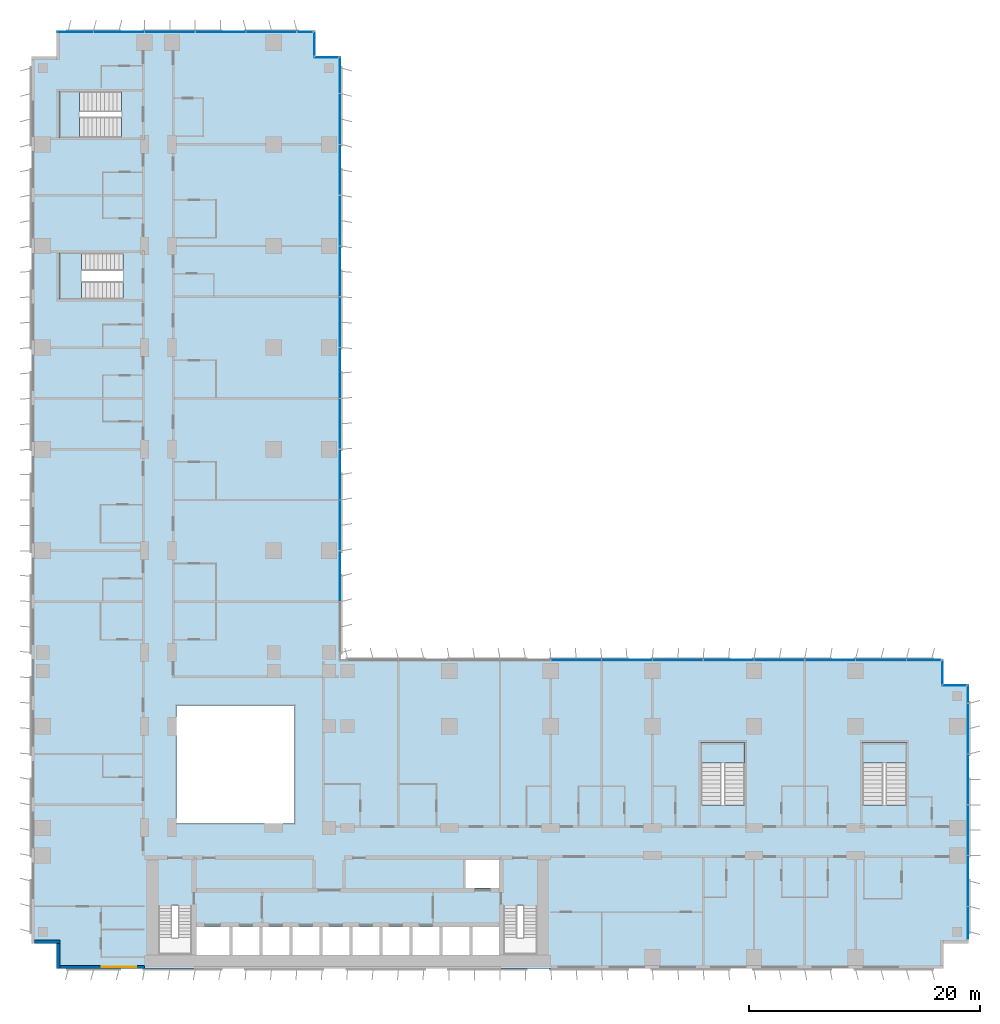
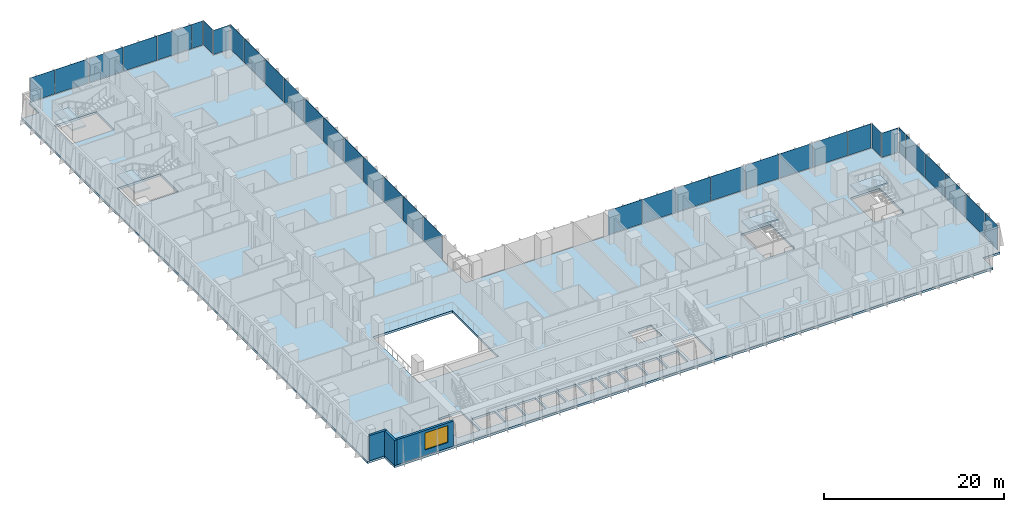
# One storey, part 11 of 24: 35 plates, 5 slabs, 3 walls, 1 window, 1 opening, 12 elements without a shape of their own.
"""IFC4 building model written with IfcOpenShell, lengths in metres."""

from ifc_helpers import new_model, si_unit, direction, frame, frame_2d, origin, origin_2d, place, context, subcontext, project, spatial, polyline, rectangle, outline, extrude, source, transform, mapped, material, layer, layer_set, type_object, element, fill, aggregate, save


model = new_model("IFC4")

# Units and contexts
model_context = context("Model", 3, precision=1e-05, world=origin(), true_north=direction((0.0, 1.0)))
body_context = subcontext(model_context, "Body", "Model", "MODEL_VIEW")
ifc_project = project(units=[si_unit("LENGTHUNIT", "METRE"), si_unit("AREAUNIT", "SQUARE_METRE"), si_unit("VOLUMEUNIT", "CUBIC_METRE"), si_unit("PLANEANGLEUNIT", "RADIAN"), si_unit("MASSUNIT", "GRAM", prefix="KILO")], contexts=[model_context])

# Site, building, storey
site_placement = place(None, origin())
site = spatial("IfcSite", under=ifc_project, at=site_placement, CompositionType="ELEMENT")
building_placement = place(site_placement, origin())
building = spatial("IfcBuilding", under=site, at=building_placement, Name="Kemantara Hotel Tower", CompositionType="ELEMENT")
storey_placement = place(building_placement, frame((0.0, 0.0, 52.5)))
storey = spatial("IfcBuildingStorey", under=building, at=storey_placement, Name="L11", CompositionType="ELEMENT", Elevation=52.5)

# Slab
ifc_material_1 = material(Name="Concrete fc 40 MPa", Category="concrete")
ifc_layer_1 = layer(ifc_material_1, 0.300048828125)
ifc_layer_set_1 = layer_set([ifc_layer_1], Name="Concrete fc 40 MPa")
slab_type_1 = type_object("IfcSlabType", Name="POST-TENSIONED FLAT PLATE 300", PredefinedType="FLOOR", material=ifc_layer_set_1)
slab_1_placement = place(storey_placement, frame((0.0, 0.0, -0.300048828125)))
element("IfcSlab", 1, at=slab_1_placement, inside=storey, type_object=slab_type_1, Name="FLOOR SLAB L11", PredefinedType="FLOOR", context=body_context, shape_type="SweptSolid", body=[
    extrude(outline(polyline([(0.0, 2.199951171875), (2.199951171875, 2.199951171875), (2.199951171875, 0.0), (79.0, 0.0), (79.0, 2.199951171875), (81.199951171875, 2.199951171875), (81.199951171875, 24.60009765625), (79.0, 24.60009765625), (79.0, 26.800048828125), (26.800048828125, 26.800048828125), (26.800048828125, 79.0), (24.60009765625, 79.0), (24.60009765625, 81.199951171875), (2.199951171875, 81.199951171875), (2.199951171875, 79.0), (0.0, 79.0), (0.0, 2.199951171875)]), holes=[polyline([(17.175048828125, 1.199951171875), (14.22509765625, 1.199951171875), (14.22509765625, 3.60009765625), (17.175048828125, 3.60009765625), (17.175048828125, 1.199951171875)]), polyline([(19.77490234375, 1.199951171875), (17.425048828125, 1.199951171875), (17.425048828125, 3.60009765625), (19.77490234375, 3.60009765625), (19.77490234375, 1.199951171875)]), polyline([(22.375, 1.199951171875), (20.02490234375, 1.199951171875), (20.02490234375, 3.60009765625), (22.375, 3.60009765625), (22.375, 1.199951171875)]), polyline([(24.97509765625, 1.199951171875), (22.625, 1.199951171875), (22.625, 3.60009765625), (24.97509765625, 3.60009765625), (24.97509765625, 1.199951171875)]), polyline([(27.574951171875, 1.199951171875), (25.22509765625, 1.199951171875), (25.22509765625, 3.60009765625), (27.574951171875, 3.60009765625), (27.574951171875, 1.199951171875)]), polyline([(11.0, 1.199951171875), (11.0, 5.49951171875), (13.89990234375, 5.49951171875), (13.89990234375, 1.199951171875), (11.0, 1.199951171875)]), polyline([(22.800048828125, 12.60009765625), (12.60009765625, 12.60009765625), (12.60009765625, 22.800048828125), (22.800048828125, 22.800048828125), (22.800048828125, 12.60009765625)]), polyline([(7.949462890625, 62.0), (7.949462890625, 58.0), (2.39990234375, 58.0), (2.39990234375, 62.0), (7.949462890625, 62.0)]), polyline([(7.79931640625, 76.0), (7.79931640625, 72.0), (2.39990234375, 72.0), (2.39990234375, 76.0), (7.79931640625, 76.0)]), polyline([(30.175048828125, 1.199951171875), (27.824951171875, 1.199951171875), (27.824951171875, 3.60009765625), (30.175048828125, 3.60009765625), (30.175048828125, 1.199951171875)]), polyline([(32.77490234375, 1.199951171875), (30.425048828125, 1.199951171875), (30.425048828125, 3.60009765625), (32.77490234375, 3.60009765625), (32.77490234375, 1.199951171875)]), polyline([(35.375, 1.199951171875), (33.02490234375, 1.199951171875), (33.02490234375, 3.60009765625), (35.375, 3.60009765625), (35.375, 1.199951171875)]), polyline([(37.97509765625, 1.199951171875), (35.625, 1.199951171875), (35.625, 3.60009765625), (37.97509765625, 3.60009765625), (37.97509765625, 1.199951171875)]), polyline([(40.574951171875, 1.199951171875), (38.22509765625, 1.199951171875), (38.22509765625, 3.60009765625), (40.574951171875, 3.60009765625), (40.574951171875, 1.199951171875)]), polyline([(40.89990234375, 1.199951171875), (40.89990234375, 5.49951171875), (43.800048828125, 5.49951171875), (43.800048828125, 1.199951171875), (40.89990234375, 1.199951171875)]), polyline([(40.574951171875, 7.0), (37.625, 7.0), (37.625, 9.39990234375), (40.574951171875, 9.39990234375), (40.574951171875, 7.0)]), polyline([(61.800048828125, 14.20068359375), (58.0, 14.20068359375), (58.0, 19.60009765625), (61.800048828125, 19.60009765625), (61.800048828125, 14.20068359375)]), polyline([(75.800048828125, 14.20068359375), (72.0, 14.20068359375), (72.0, 19.60009765625), (75.800048828125, 19.60009765625), (75.800048828125, 14.20068359375)])]), origin(), (0.0, 0.0, 1.0), 0.300048828125),
])

# Stair, slab
stair_type_1 = type_object("IfcStairType", Name="Stair 1800 wide 22 risers of 168 x 360 mm", PredefinedType="HALF_TURN_STAIR", material=ifc_material_1)
stair_1_placement = place(storey_placement, origin())
stair_1 = element("IfcStair", 2, at=stair_1_placement, inside=storey, type_object=stair_type_1, Name="L11 Exit stair ST3", PredefinedType="HALF_TURN_STAIR")
ifc_layer_2 = layer(ifc_material_1, 0.199951171875)
ifc_layer_set_2 = layer_set([ifc_layer_2], Name="Concrete fc 40 MPa")
slab_type_2 = type_object("IfcSlabType", Name="Stair landing 200 mm", PredefinedType="LANDING", material=ifc_layer_set_2)
slab_2_placement = place(storey_placement, frame((0.0, 0.0, 1.64990234375)))
slab_2 = element("IfcSlab", 3, at=slab_2_placement, type_object=slab_type_2, Name="ST3 landing 1", PredefinedType="LANDING", context=body_context, shape_type="SweptSolid", body=[
    extrude(outline(polyline([(61.800048828125, 17.800048828125), (61.800048828125, 19.60009765625), (58.0, 19.60009765625), (58.0, 17.800048828125), (61.800048828125, 17.800048828125)])), origin(), (0.0, 0.0, 1.0), 0.2001953125),
])
aggregate(stair_1, [slab_2])

stair_type_2 = type_object("IfcStairType", Name="Stair 1550 wide 22 risers of 168 x 360 mm", PredefinedType="HALF_TURN_STAIR", material=ifc_material_1)
stair_2_placement = place(storey_placement, origin())
stair_2 = element("IfcStair", 4, at=stair_2_placement, inside=storey, type_object=stair_type_2, Name="L11 Exit stair ST4", PredefinedType="HALF_TURN_STAIR")
slab_3_placement = place(storey_placement, frame((0.0, 0.0, 1.64990234375)))
slab_3 = element("IfcSlab", 5, at=slab_3_placement, type_object=slab_type_2, Name="ST4 landing 1", PredefinedType="LANDING", context=body_context, shape_type="SweptSolid", body=[
    extrude(outline(polyline([(4.35009765625, 62.0), (2.39990234375, 62.0), (2.39990234375, 58.0), (4.35009765625, 58.0), (4.35009765625, 62.0)])), origin(), (0.0, 0.0, 1.0), 0.2001953125),
])
aggregate(stair_2, [slab_3])

stair_3_placement = place(storey_placement, origin())
stair_3 = element("IfcStair", 6, at=stair_3_placement, inside=storey, type_object=stair_type_1, Name="L11 Exit stair ST5", PredefinedType="HALF_TURN_STAIR")
slab_4_placement = place(storey_placement, frame((0.0, 0.0, 1.64990234375)))
slab_4 = element("IfcSlab", 7, at=slab_4_placement, type_object=slab_type_2, Name="ST5 landing 1", PredefinedType="LANDING", context=body_context, shape_type="SweptSolid", body=[
    extrude(outline(polyline([(75.800048828125, 17.800048828125), (75.800048828125, 19.60009765625), (72.0, 19.60009765625), (72.0, 17.800048828125), (75.800048828125, 17.800048828125)])), origin(), (0.0, 0.0, 1.0), 0.2001953125),
])
aggregate(stair_3, [slab_4])

stair_4_placement = place(storey_placement, origin())
stair_4 = element("IfcStair", 8, at=stair_4_placement, inside=storey, type_object=stair_type_1, Name="L11 Exit stair ST6", PredefinedType="HALF_TURN_STAIR")
slab_5_placement = place(storey_placement, frame((0.0, 0.0, 1.64990234375)))
slab_5 = element("IfcSlab", 9, at=slab_5_placement, type_object=slab_type_2, Name="ST6 landing 1", PredefinedType="LANDING", context=body_context, shape_type="SweptSolid", body=[
    extrude(outline(polyline([(4.199951171875, 76.0), (2.39990234375, 76.0), (2.39990234375, 72.0), (4.199951171875, 72.0), (4.199951171875, 76.0)])), origin(), (0.0, 0.0, 1.0), 0.2001953125),
])
aggregate(stair_4, [slab_5])

# Curtain wall, plates
ifc_material_2 = material(Name="Low-E tinted double insulated glass 36 mm", Category="glass")
curtain_wall_type = type_object("IfcCurtainWallType", Name="TOWER CURTAIN WALL, FRONT FACES", PredefinedType="USERDEFINED", material=ifc_material_2)
curtain_wall_1_placement = place(storey_placement, origin())
curtain_wall_1 = element("IfcCurtainWall", 10, at=curtain_wall_1_placement, inside=storey, type_object=curtain_wall_type, Name="CW4 L11 T1-R04-1", ObjectType="TOWER CURTAIN WALL, FRONT FACES", PredefinedType="USERDEFINED")
ifc_layer_3 = layer(ifc_material_2, 0.035888671875)
ifc_layer_set_3 = layer_set([ifc_layer_3], Name="Low-E tinted double insulated glass 36 mm")
plate_type = type_object("IfcPlateType", Name="TOWER CURTAIN WALL, FRONT FACES PANEL", PredefinedType="CURTAIN_PANEL", material=ifc_layer_set_3)
shared_shape_1 = source(origin(), body_context, "Body", "SweptSolid", [
    extrude(rectangle(XDim=2.81005859375, YDim=0.035888671875, at=origin_2d()), origin(), (0.0, 0.0, 1.0), 3.280029296875),
])
plate_1_placement = place(storey_placement, frame((81.125, 3.965087890625, 0.1201171875), z_axis=(0.0, 0.0, 1.0), x_axis=(0.0, 1.0, 0.0)))
plate_1 = element("IfcPlate", 11, at=plate_1_placement, type_object=plate_type, Name="CW4 glass panel T1-R04-1.1", PredefinedType="CURTAIN_PANEL", context=body_context, shape_type="MappedRepresentation", body=[
    mapped(shared_shape_1, transform((0.0, 0.0, 0.0))),
])
shared_shape_2 = source(origin(), body_context, "Body", "SweptSolid", [
    extrude(rectangle(XDim=4.340087890625, YDim=0.035888671875, at=origin_2d()), origin(), (0.0, 0.0, 1.0), 3.280029296875),
])
plate_2_placement = place(storey_placement, frame((81.125, 7.60009765625, 0.1201171875), z_axis=(0.0, 0.0, 1.0), x_axis=(0.0, 1.0, 0.0)))
plate_2 = element("IfcPlate", 12, at=plate_2_placement, type_object=plate_type, Name="CW4 glass panel T1-R04-1.2", PredefinedType="CURTAIN_PANEL", context=body_context, shape_type="MappedRepresentation", body=[
    mapped(shared_shape_2, transform((0.0, 0.0, 0.0))),
])
plate_3_placement = place(storey_placement, frame((81.125, 12.0, 0.1201171875), z_axis=(0.0, 0.0, 1.0), x_axis=(0.0, 1.0, 0.0)))
plate_3 = element("IfcPlate", 13, at=plate_3_placement, type_object=plate_type, Name="CW4 glass panel T1-R04-1.3", PredefinedType="CURTAIN_PANEL", context=body_context, shape_type="MappedRepresentation", body=[
    mapped(shared_shape_2, transform((0.0, 0.0, 0.0))),
])
plate_4_placement = place(storey_placement, frame((81.125, 16.39990234375, 0.1201171875), z_axis=(0.0, 0.0, 1.0), x_axis=(0.0, 1.0, 0.0)))
plate_4 = element("IfcPlate", 14, at=plate_4_placement, type_object=plate_type, Name="CW4 glass panel T1-R04-1.4", PredefinedType="CURTAIN_PANEL", context=body_context, shape_type="MappedRepresentation", body=[
    mapped(shared_shape_2, transform((0.0, 0.0, 0.0))),
])
plate_5_placement = place(storey_placement, frame((81.125, 20.800048828125, 0.1201171875), z_axis=(0.0, 0.0, 1.0), x_axis=(0.0, 1.0, 0.0)))
plate_5 = element("IfcPlate", 15, at=plate_5_placement, type_object=plate_type, Name="CW4 glass panel T1-R04-1.5", PredefinedType="CURTAIN_PANEL", context=body_context, shape_type="MappedRepresentation", body=[
    mapped(shared_shape_2, transform((0.0, 0.0, 0.0))),
])

curtain_wall_2_placement = place(storey_placement, origin())
curtain_wall_2 = element("IfcCurtainWall", 16, at=curtain_wall_2_placement, inside=storey, type_object=curtain_wall_type, Name="CW4 L11 T1-R07-1", ObjectType="TOWER CURTAIN WALL, FRONT FACES", PredefinedType="USERDEFINED")
plate_6_placement = place(storey_placement, frame((73.60009765625, 26.72509765625, 0.1201171875), z_axis=(0.0, 0.0, 1.0), x_axis=(-1.0, 0.0, 0.0)))
plate_6 = element("IfcPlate", 17, at=plate_6_placement, type_object=plate_type, Name="CW4 glass panel T1-R07-1.2", PredefinedType="CURTAIN_PANEL", context=body_context, shape_type="MappedRepresentation", body=[
    mapped(shared_shape_2, transform((0.0, 0.0, 0.0))),
])
plate_7_placement = place(storey_placement, frame((69.199951171875, 26.72509765625, 0.1201171875), z_axis=(0.0, 0.0, 1.0), x_axis=(-1.0, 0.0, 0.0)))
plate_7 = element("IfcPlate", 18, at=plate_7_placement, type_object=plate_type, Name="CW4 glass panel T1-R07-1.3", PredefinedType="CURTAIN_PANEL", context=body_context, shape_type="MappedRepresentation", body=[
    mapped(shared_shape_2, transform((0.0, 0.0, 0.0))),
])
plate_8_placement = place(storey_placement, frame((64.800048828125, 26.72509765625, 0.1201171875), z_axis=(0.0, 0.0, 1.0), x_axis=(-1.0, 0.0, 0.0)))
plate_8 = element("IfcPlate", 19, at=plate_8_placement, type_object=plate_type, Name="CW4 glass panel T1-R07-1.4", PredefinedType="CURTAIN_PANEL", context=body_context, shape_type="MappedRepresentation", body=[
    mapped(shared_shape_2, transform((0.0, 0.0, 0.0))),
])
plate_9_placement = place(storey_placement, frame((60.39990234375, 26.72509765625, 0.1201171875), z_axis=(0.0, 0.0, 1.0), x_axis=(-1.0, 0.0, 0.0)))
plate_9 = element("IfcPlate", 20, at=plate_9_placement, type_object=plate_type, Name="CW4 glass panel T1-R07-1.5", PredefinedType="CURTAIN_PANEL", context=body_context, shape_type="MappedRepresentation", body=[
    mapped(shared_shape_2, transform((0.0, 0.0, 0.0))),
])
plate_10_placement = place(storey_placement, frame((56.0, 26.72509765625, 0.1201171875), z_axis=(0.0, 0.0, 1.0), x_axis=(-1.0, 0.0, 0.0)))
plate_10 = element("IfcPlate", 21, at=plate_10_placement, type_object=plate_type, Name="CW4 glass panel T1-R07-1.6", PredefinedType="CURTAIN_PANEL", context=body_context, shape_type="MappedRepresentation", body=[
    mapped(shared_shape_2, transform((0.0, 0.0, 0.0))),
])
plate_11_placement = place(storey_placement, frame((51.60009765625, 26.72509765625, 0.1201171875), z_axis=(0.0, 0.0, 1.0), x_axis=(-1.0, 0.0, 0.0)))
plate_11 = element("IfcPlate", 22, at=plate_11_placement, type_object=plate_type, Name="CW4 glass panel T1-R07-1.7", PredefinedType="CURTAIN_PANEL", context=body_context, shape_type="MappedRepresentation", body=[
    mapped(shared_shape_2, transform((0.0, 0.0, 0.0))),
])
plate_12_placement = place(storey_placement, frame((47.199951171875, 26.72509765625, 0.1201171875), z_axis=(0.0, 0.0, 1.0), x_axis=(-1.0, 0.0, 0.0)))
plate_12 = element("IfcPlate", 23, at=plate_12_placement, type_object=plate_type, Name="CW4 glass panel T1-R07-1.8", PredefinedType="CURTAIN_PANEL", context=body_context, shape_type="MappedRepresentation", body=[
    mapped(shared_shape_2, transform((0.0, 0.0, 0.0))),
])

curtain_wall_3_placement = place(storey_placement, origin())
curtain_wall_3 = element("IfcCurtainWall", 24, at=curtain_wall_3_placement, inside=storey, type_object=curtain_wall_type, Name="CW4 L11 T1-R08-1", ObjectType="TOWER CURTAIN WALL, FRONT FACES", PredefinedType="USERDEFINED")
plate_13_placement = place(storey_placement, frame((26.72509765625, 34.0, 0.1201171875), z_axis=(0.0, 0.0, 1.0), x_axis=(0.0, 1.0, 0.0)))
plate_13 = element("IfcPlate", 25, at=plate_13_placement, type_object=plate_type, Name="CW4 glass panel T1-R08-1.3", PredefinedType="CURTAIN_PANEL", context=body_context, shape_type="MappedRepresentation", body=[
    mapped(shared_shape_2, transform((0.0, 0.0, 0.0))),
])
plate_14_placement = place(storey_placement, frame((26.72509765625, 38.39990234375, 0.1201171875), z_axis=(0.0, 0.0, 1.0), x_axis=(0.0, 1.0, 0.0)))
plate_14 = element("IfcPlate", 26, at=plate_14_placement, type_object=plate_type, Name="CW4 glass panel T1-R08-1.4", PredefinedType="CURTAIN_PANEL", context=body_context, shape_type="MappedRepresentation", body=[
    mapped(shared_shape_2, transform((0.0, 0.0, 0.0))),
])
plate_15_placement = place(storey_placement, frame((26.72509765625, 42.800048828125, 0.1201171875), z_axis=(0.0, 0.0, 1.0), x_axis=(0.0, 1.0, 0.0)))
plate_15 = element("IfcPlate", 27, at=plate_15_placement, type_object=plate_type, Name="CW4 glass panel T1-R08-1.5", PredefinedType="CURTAIN_PANEL", context=body_context, shape_type="MappedRepresentation", body=[
    mapped(shared_shape_2, transform((0.0, 0.0, 0.0))),
])
plate_16_placement = place(storey_placement, frame((26.72509765625, 47.199951171875, 0.1201171875), z_axis=(0.0, 0.0, 1.0), x_axis=(0.0, 1.0, 0.0)))
plate_16 = element("IfcPlate", 28, at=plate_16_placement, type_object=plate_type, Name="CW4 glass panel T1-R08-1.6", PredefinedType="CURTAIN_PANEL", context=body_context, shape_type="MappedRepresentation", body=[
    mapped(shared_shape_2, transform((0.0, 0.0, 0.0))),
])
plate_17_placement = place(storey_placement, frame((26.72509765625, 51.60009765625, 0.1201171875), z_axis=(0.0, 0.0, 1.0), x_axis=(0.0, 1.0, 0.0)))
plate_17 = element("IfcPlate", 29, at=plate_17_placement, type_object=plate_type, Name="CW4 glass panel T1-R08-1.7", PredefinedType="CURTAIN_PANEL", context=body_context, shape_type="MappedRepresentation", body=[
    mapped(shared_shape_2, transform((0.0, 0.0, 0.0))),
])
plate_18_placement = place(storey_placement, frame((26.72509765625, 56.0, 0.1201171875), z_axis=(0.0, 0.0, 1.0), x_axis=(0.0, 1.0, 0.0)))
plate_18 = element("IfcPlate", 30, at=plate_18_placement, type_object=plate_type, Name="CW4 glass panel T1-R08-1.8", PredefinedType="CURTAIN_PANEL", context=body_context, shape_type="MappedRepresentation", body=[
    mapped(shared_shape_2, transform((0.0, 0.0, 0.0))),
])
plate_19_placement = place(storey_placement, frame((26.72509765625, 60.39990234375, 0.1201171875), z_axis=(0.0, 0.0, 1.0), x_axis=(0.0, 1.0, 0.0)))
plate_19 = element("IfcPlate", 31, at=plate_19_placement, type_object=plate_type, Name="CW4 glass panel T1-R08-1.9", PredefinedType="CURTAIN_PANEL", context=body_context, shape_type="MappedRepresentation", body=[
    mapped(shared_shape_2, transform((0.0, 0.0, 0.0))),
])
plate_20_placement = place(storey_placement, frame((26.72509765625, 64.800048828125, 0.1201171875), z_axis=(0.0, 0.0, 1.0), x_axis=(0.0, 1.0, 0.0)))
plate_20 = element("IfcPlate", 32, at=plate_20_placement, type_object=plate_type, Name="CW4 glass panel T1-R08-1.10", PredefinedType="CURTAIN_PANEL", context=body_context, shape_type="MappedRepresentation", body=[
    mapped(shared_shape_2, transform((0.0, 0.0, 0.0))),
])
plate_21_placement = place(storey_placement, frame((26.72509765625, 69.199951171875, 0.1201171875), z_axis=(0.0, 0.0, 1.0), x_axis=(0.0, 1.0, 0.0)))
plate_21 = element("IfcPlate", 33, at=plate_21_placement, type_object=plate_type, Name="CW4 glass panel T1-R08-1.11", PredefinedType="CURTAIN_PANEL", context=body_context, shape_type="MappedRepresentation", body=[
    mapped(shared_shape_2, transform((0.0, 0.0, 0.0))),
])
plate_22_placement = place(storey_placement, frame((26.72509765625, 73.60009765625, 0.1201171875), z_axis=(0.0, 0.0, 1.0), x_axis=(0.0, 1.0, 0.0)))
plate_22 = element("IfcPlate", 34, at=plate_22_placement, type_object=plate_type, Name="CW4 glass panel T1-R08-1.12", PredefinedType="CURTAIN_PANEL", context=body_context, shape_type="MappedRepresentation", body=[
    mapped(shared_shape_2, transform((0.0, 0.0, 0.0))),
])

curtain_wall_4_placement = place(storey_placement, origin())
curtain_wall_4 = element("IfcCurtainWall", 35, at=curtain_wall_4_placement, inside=storey, type_object=curtain_wall_type, Name="CW4 L11 T1-R11-1", ObjectType="TOWER CURTAIN WALL, FRONT FACES", PredefinedType="USERDEFINED")
plate_23_placement = place(storey_placement, frame((20.800048828125, 81.125, 0.1201171875), z_axis=(0.0, 0.0, 1.0), x_axis=(-1.0, 0.0, 0.0)))
plate_23 = element("IfcPlate", 36, at=plate_23_placement, type_object=plate_type, Name="CW4 glass panel T1-R11-1.2", PredefinedType="CURTAIN_PANEL", context=body_context, shape_type="MappedRepresentation", body=[
    mapped(shared_shape_2, transform((0.0, 0.0, 0.0))),
])
plate_24_placement = place(storey_placement, frame((16.39990234375, 81.125, 0.1201171875), z_axis=(0.0, 0.0, 1.0), x_axis=(-1.0, 0.0, 0.0)))
plate_24 = element("IfcPlate", 37, at=plate_24_placement, type_object=plate_type, Name="CW4 glass panel T1-R11-1.3", PredefinedType="CURTAIN_PANEL", context=body_context, shape_type="MappedRepresentation", body=[
    mapped(shared_shape_2, transform((0.0, 0.0, 0.0))),
])
plate_25_placement = place(storey_placement, frame((12.0, 81.125, 0.1201171875), z_axis=(0.0, 0.0, 1.0), x_axis=(-1.0, 0.0, 0.0)))
plate_25 = element("IfcPlate", 38, at=plate_25_placement, type_object=plate_type, Name="CW4 glass panel T1-R11-1.4", PredefinedType="CURTAIN_PANEL", context=body_context, shape_type="MappedRepresentation", body=[
    mapped(shared_shape_2, transform((0.0, 0.0, 0.0))),
])
plate_26_placement = place(storey_placement, frame((7.60009765625, 81.125, 0.1201171875), z_axis=(0.0, 0.0, 1.0), x_axis=(-1.0, 0.0, 0.0)))
plate_26 = element("IfcPlate", 39, at=plate_26_placement, type_object=plate_type, Name="CW4 glass panel T1-R11-1.5", PredefinedType="CURTAIN_PANEL", context=body_context, shape_type="MappedRepresentation", body=[
    mapped(shared_shape_2, transform((0.0, 0.0, 0.0))),
])

# Plate
shared_shape_3 = source(origin(), body_context, "Body", "SweptSolid", [
    extrude(rectangle(XDim=1.510009765625, YDim=0.035888671875, at=origin_2d()), origin(), (0.0, 0.0, 1.0), 3.280029296875),
])
plate_27_placement = place(storey_placement, frame((81.125, 23.784912109375, 0.1201171875), z_axis=(0.0, 0.0, 1.0), x_axis=(0.0, 1.0, 0.0)))
plate_27 = element("IfcPlate", 40, at=plate_27_placement, type_object=plate_type, Name="CW4 glass panel T1-R04-1.6", PredefinedType="CURTAIN_PANEL", context=body_context, shape_type="MappedRepresentation", body=[
    mapped(shared_shape_3, transform((0.0, 0.0, 0.0))),
])

aggregate(curtain_wall_1, [plate_1, plate_2, plate_3, plate_4, plate_5, plate_27])

shared_shape_4 = source(origin(), body_context, "Body", "SweptSolid", [
    extrude(rectangle(XDim=1.360107421875, YDim=0.035888671875, at=origin_2d()), origin(), (0.0, 0.0, 1.0), 3.280029296875),
])
plate_28_placement = place(storey_placement, frame((23.7099609375, 81.125, 0.1201171875), z_axis=(0.0, 0.0, 1.0), x_axis=(-1.0, 0.0, 0.0)))
plate_28 = element("IfcPlate", 41, at=plate_28_placement, type_object=plate_type, Name="CW4 glass panel T1-R11-1.1", PredefinedType="CURTAIN_PANEL", context=body_context, shape_type="MappedRepresentation", body=[
    mapped(shared_shape_4, transform((0.0, 0.0, 0.0))),
])

shared_shape_5 = source(origin(), body_context, "Body", "SweptSolid", [
    extrude(rectangle(XDim=3.110107421875, YDim=0.035888671875, at=origin_2d()), origin(), (0.0, 0.0, 1.0), 3.280029296875),
])
plate_29_placement = place(storey_placement, frame((26.72509765625, 77.385009765625, 0.1201171875), z_axis=(0.0, 0.0, 1.0), x_axis=(0.0, 1.0, 0.0)))
plate_29 = element("IfcPlate", 42, at=plate_29_placement, type_object=plate_type, Name="CW4 glass panel T1-R08-1.13", PredefinedType="CURTAIN_PANEL", context=body_context, shape_type="MappedRepresentation", body=[
    mapped(shared_shape_5, transform((0.0, 0.0, 0.0))),
])

aggregate(curtain_wall_3, [plate_13, plate_14, plate_15, plate_16, plate_17, plate_18, plate_19, plate_20, plate_21, plate_22, plate_29])

plate_30_placement = place(storey_placement, frame((3.81494140625, 81.125, 0.1201171875), z_axis=(0.0, 0.0, 1.0), x_axis=(-1.0, 0.0, 0.0)))
plate_30 = element("IfcPlate", 43, at=plate_30_placement, type_object=plate_type, Name="CW4 glass panel T1-R11-1.6", PredefinedType="CURTAIN_PANEL", context=body_context, shape_type="MappedRepresentation", body=[
    mapped(shared_shape_5, transform((0.0, 0.0, 0.0))),
])

aggregate(curtain_wall_4, [plate_28, plate_23, plate_24, plate_25, plate_26, plate_30])

# Curtain wall, plate
curtain_wall_5_placement = place(storey_placement, origin())
curtain_wall_5 = element("IfcCurtainWall", 44, at=curtain_wall_5_placement, inside=storey, type_object=curtain_wall_type, Name="CW4 L11 T1-R05-1", ObjectType="TOWER CURTAIN WALL, FRONT FACES", PredefinedType="USERDEFINED")
shared_shape_6 = source(origin(), body_context, "Body", "SweptSolid", [
    extrude(rectangle(XDim=2.080078125, YDim=0.035888671875, at=origin_2d()), origin(), (0.0, 0.0, 1.0), 3.280029296875),
])
plate_31_placement = place(storey_placement, frame((79.949951171875, 24.52490234375, 0.1201171875), z_axis=(0.0, 0.0, 1.0), x_axis=(-1.0, 0.0, 0.0)))
plate_31 = element("IfcPlate", 45, at=plate_31_placement, type_object=plate_type, Name="CW4 glass panel T1-R05-1.1", PredefinedType="CURTAIN_PANEL", context=body_context, shape_type="MappedRepresentation", body=[
    mapped(shared_shape_6, transform((0.0, 0.0, 0.0))),
])
aggregate(curtain_wall_5, [plate_31])

curtain_wall_6_placement = place(storey_placement, origin())
curtain_wall_6 = element("IfcCurtainWall", 46, at=curtain_wall_6_placement, inside=storey, type_object=curtain_wall_type, Name="CW4 L11 T1-R06-1", ObjectType="TOWER CURTAIN WALL, FRONT FACES", PredefinedType="USERDEFINED")
plate_32_placement = place(storey_placement, frame((78.925048828125, 25.699951171875, 0.1201171875), z_axis=(0.0, 0.0, 1.0), x_axis=(0.0, 1.0, 0.0)))
plate_32 = element("IfcPlate", 47, at=plate_32_placement, type_object=plate_type, Name="CW4 glass panel T1-R06-1.1", PredefinedType="CURTAIN_PANEL", context=body_context, shape_type="MappedRepresentation", body=[
    mapped(shared_shape_6, transform((0.0, 0.0, 0.0))),
])
aggregate(curtain_wall_6, [plate_32])

curtain_wall_7_placement = place(storey_placement, origin())
curtain_wall_7 = element("IfcCurtainWall", 48, at=curtain_wall_7_placement, inside=storey, type_object=curtain_wall_type, Name="CW4 L11 T1-R09-1", ObjectType="TOWER CURTAIN WALL, FRONT FACES", PredefinedType="USERDEFINED")
plate_33_placement = place(storey_placement, frame((25.550048828125, 78.925048828125, 0.1201171875), z_axis=(0.0, 0.0, 1.0), x_axis=(-1.0, 0.0, 0.0)))
plate_33 = element("IfcPlate", 49, at=plate_33_placement, type_object=plate_type, Name="CW4 glass panel T1-R09-1.1", PredefinedType="CURTAIN_PANEL", context=body_context, shape_type="MappedRepresentation", body=[
    mapped(shared_shape_6, transform((0.0, 0.0, 0.0))),
])
aggregate(curtain_wall_7, [plate_33])

curtain_wall_8_placement = place(storey_placement, origin())
curtain_wall_8 = element("IfcCurtainWall", 50, at=curtain_wall_8_placement, inside=storey, type_object=curtain_wall_type, Name="CW4 L11 T1-R10-1", ObjectType="TOWER CURTAIN WALL, FRONT FACES", PredefinedType="USERDEFINED")
plate_34_placement = place(storey_placement, frame((24.52490234375, 80.10009765625, 0.1201171875), z_axis=(0.0, 0.0, 1.0), x_axis=(0.0, 1.0, 0.0)))
plate_34 = element("IfcPlate", 51, at=plate_34_placement, type_object=plate_type, Name="CW4 glass panel T1-R10-1.1", PredefinedType="CURTAIN_PANEL", context=body_context, shape_type="MappedRepresentation", body=[
    mapped(shared_shape_6, transform((0.0, 0.0, 0.0))),
])
aggregate(curtain_wall_8, [plate_34])

# Plate
shared_shape_7 = source(origin(), body_context, "Body", "SweptSolid", [
    extrude(rectangle(XDim=2.9599609375, YDim=0.035888671875, at=origin_2d()), origin(), (0.0, 0.0, 1.0), 3.280029296875),
])
plate_35_placement = place(storey_placement, frame((77.31005859375, 26.72509765625, 0.1201171875), z_axis=(0.0, 0.0, 1.0), x_axis=(-1.0, 0.0, 0.0)))
plate_35 = element("IfcPlate", 52, at=plate_35_placement, type_object=plate_type, Name="CW4 glass panel T1-R07-1.1", PredefinedType="CURTAIN_PANEL", context=body_context, shape_type="MappedRepresentation", body=[
    mapped(shared_shape_7, transform((0.0, 0.0, 0.0))),
])

aggregate(curtain_wall_2, [plate_35, plate_6, plate_7, plate_8, plate_9, plate_10, plate_11, plate_12])

# Wall
ifc_material_3 = material(Name="Bronze anodised aluminium cladding on insulated steel stud wall", Category="steel")
ifc_layer_4 = layer(ifc_material_3, 0.300048828125)
ifc_layer_set_4 = layer_set([ifc_layer_4], Name="Bronze anodised aluminium cladding on insulated steel stud wall")
wall_type = type_object("IfcWallType", Name="BRONZE METAL-CLAD EXTERNAL WALL 300", PredefinedType="STANDARD", material=ifc_layer_set_4)
wall_1_placement = place(storey_placement, frame((2.35009765625, 2.199951171875, 0.0), z_axis=(0.0, 0.0, 1.0), x_axis=(0.0, -1.0, 0.0)))
element("IfcWall", 53, at=wall_1_placement, inside=storey, type_object=wall_type, Name="EXTERNAL WALL L11 T1-R00", PredefinedType="STANDARD", context=body_context, shape_type="SweptSolid", body=[
    extrude(rectangle(XDim=2.199951171875, YDim=0.300048828125, at=frame_2d((1.10009765625, 0.0))), origin(), (0.0, 0.0, 1.0), 3.39990234375),
])

# Wall, opening, window
wall_2_placement = place(storey_placement, frame((2.5, 0.14990234375, 0.0), z_axis=(0.0, 0.0, 1.0), x_axis=(1.0, 0.0, 0.0)))
wall_2 = element("IfcWall", 54, at=wall_2_placement, inside=storey, type_object=wall_type, Name="EXTERNAL WALL L11 T1-R01", PredefinedType="STANDARD", context=body_context, shape_type="SweptSolid", body=[
    extrude(rectangle(XDim=7.300048828125, YDim=0.300048828125, at=frame_2d((3.64990234375, 0.0))), origin(), (0.0, 0.0, 1.0), 3.39990234375),
])
opening_placement = place(wall_2_placement, frame((3.60009765625, 0.0, 0.75)))
opening = element("IfcOpeningElement", 55, at=opening_placement, cuts=wall_2, Name="Opening W1", PredefinedType="OPENING", context=body_context, shape_type="SweptSolid", body=[
    extrude(rectangle(XDim=3.0, YDim=2.300048828125, at=frame_2d((1.5, 1.14990234375))), frame((0.0, 0.159912109375, 0.0), z_axis=(0.0, -1.0, 0.0), x_axis=(1.0, 0.0, 0.0)), (0.0, 0.0, 1.0), 0.320068359375),
])
ifc_material_4 = material(Name="Low-E tinted double insulated glass in bronze anodised aluminium frame", Category="aluminium")
window_type = type_object("IfcWindowType", Name="CHICAGO WINDOW, TRIPLE PANEL 3000x2300", PartitioningType="TRIPLE_PANEL_VERTICAL", PredefinedType="WINDOW", material=ifc_material_4)
window_placement = place(opening_placement, origin())
window = element("IfcWindow", 56, at=window_placement, inside=storey, type_object=window_type, Name="CHICAGO WINDOW L11 T1-R01-54", OverallHeight=2.300048828125, OverallWidth=3.0, PartitioningType="SINGLE_PANEL", PredefinedType="WINDOW", context=body_context, shape_type="SweptSolid", body=[
    extrude(rectangle(XDim=3.0, YDim=2.300048828125, at=frame_2d((1.5, 1.14990234375))), frame((0.0, 0.030029296875, 0.0), z_axis=(0.0, -1.0, 0.0), x_axis=(1.0, 0.0, 0.0)), (0.0, 0.0, 1.0), 0.06005859375),
])
fill(opening, window)

# Wall
wall_3_placement = place(storey_placement, frame((0.300048828125, 2.35009765625, 0.0), z_axis=(0.0, 0.0, 1.0), x_axis=(1.0, 0.0, 0.0)))
element("IfcWall", 57, at=wall_3_placement, inside=storey, type_object=wall_type, Name="EXTERNAL WALL L11 T1-R15", PredefinedType="STANDARD", context=body_context, shape_type="SweptSolid", body=[
    extrude(rectangle(XDim=2.199951171875, YDim=0.300048828125, at=frame_2d((1.10009765625, 0.0))), origin(), (0.0, 0.0, 1.0), 3.39990234375),
])

save(model, "model.ifc")
